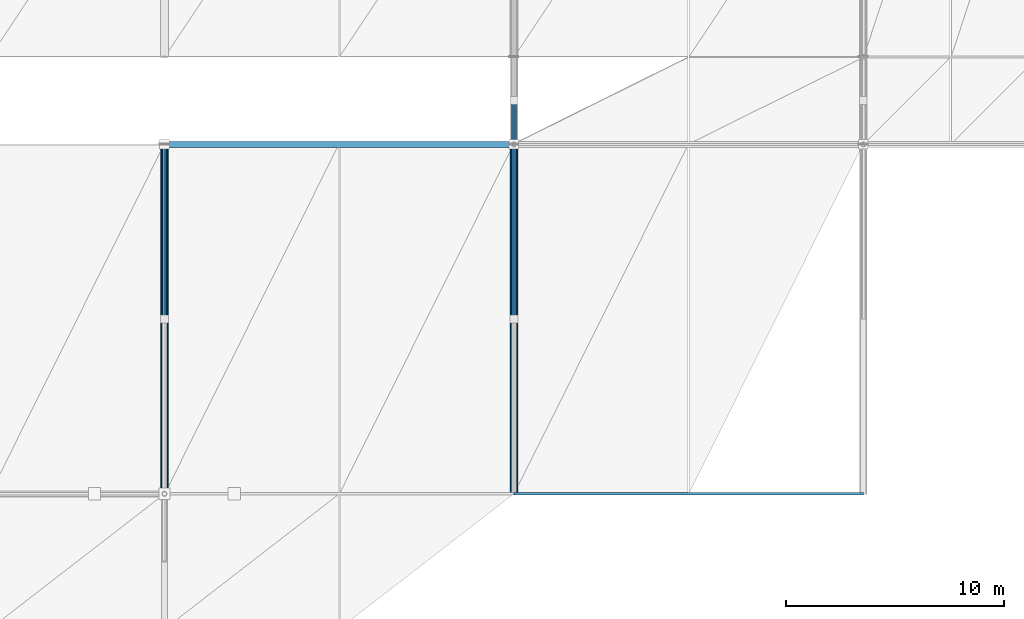
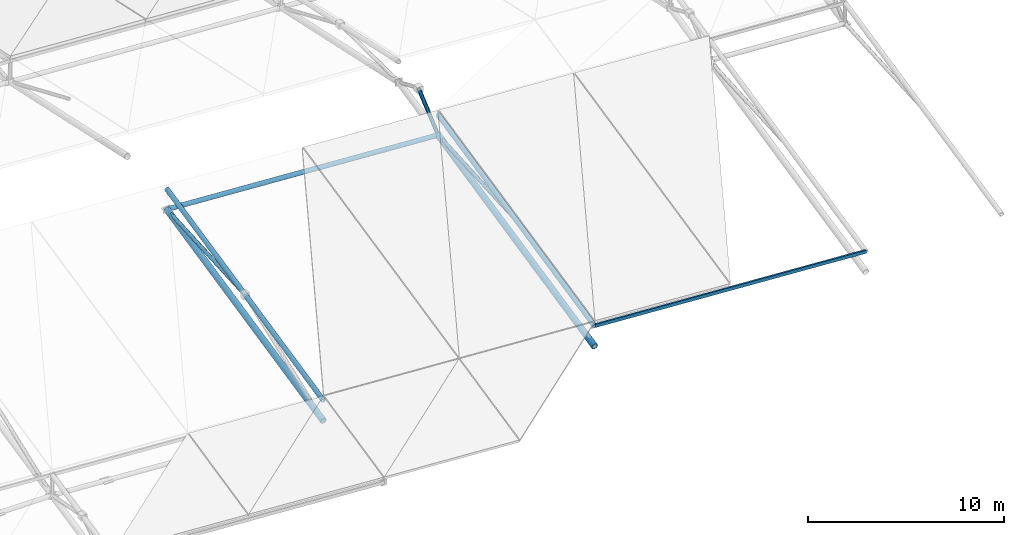
# One storey, part 28 of 67: 6 members, 3 beams.
"""IFC4 building model written with IfcOpenShell, lengths in metres."""

from ifc_helpers import new_model, si_unit, direction, frame, origin, origin_2d, place, context, subcontext, project, spatial, hollow_rectangle, hollow_circle, extrude, material, material_profile, profile_set, type_object, element, save


model = new_model("IFC4")

# Units and contexts
model_context = context("Model", 3, precision=1e-05, world=origin(), true_north=direction((0.0, 1.0)))
body_context = subcontext(model_context, "Body", "Model", "MODEL_VIEW")
ifc_project = project(units=[si_unit("LENGTHUNIT", "METRE"), si_unit("AREAUNIT", "SQUARE_METRE"), si_unit("VOLUMEUNIT", "CUBIC_METRE"), si_unit("PLANEANGLEUNIT", "RADIAN"), si_unit("MASSUNIT", "GRAM", prefix="KILO")], contexts=[model_context])

# Site, building, storey
site_placement = place(None, origin())
site = spatial("IfcSite", under=ifc_project, at=site_placement, CompositionType="ELEMENT")
building_placement = place(site_placement, origin())
building = spatial("IfcBuilding", under=site, at=building_placement, Name="Drelvath Fold Interchange", CompositionType="ELEMENT")
storey_placement = place(building_placement, frame((0.0, 0.0, 15.60009765625)))
storey = spatial("IfcBuildingStorey", under=building, at=storey_placement, Name="L03", CompositionType="ELEMENT", Elevation=15.60009765625)

# Members
ifc_material = material(Name="Steel ASTM A500 Grade C", Category="steel")
ifc_material_profile_1 = material_profile(ifc_material, hollow_rectangle(XDim=0.10205078125, YDim=0.202880859375, WallThickness=0.00732421875, at=origin_2d()), Name="HSS8X4X5/16")
ifc_profile_set_1 = profile_set([ifc_material_profile_1], Name="Steel ASTM A500 Grade C")
member_type_1 = type_object("IfcMemberType", Name="PR-HSS203", PredefinedType="PURLIN", material=ifc_profile_set_1)
member_1_placement = place(storey_placement, frame((150.0, 27.0, 0.513916015625), z_axis=(0.998197699277, 0.0, -0.060011275256), x_axis=(0.0, 1.0, 0.0)))
element("IfcMember", 1, at=member_1_placement, inside=storey, type_object=member_type_1, Name="L03 Space frame canopy purlin PR-HSS203", PredefinedType="PURLIN", context=body_context, shape_type="SweptSolid", body=[
    extrude(hollow_rectangle(XDim=0.10205078125, YDim=0.202880859375, WallThickness=0.00732421875, at=origin_2d()), origin(), (0.0, 0.0, 1.0), 16.02880859375),
])
ifc_material_profile_2 = material_profile(ifc_material, hollow_circle(Radius=0.136474609375, WallThickness=0.01171875, at=origin_2d()), Name="HSS10.750X0.500")
ifc_profile_set_2 = profile_set([ifc_material_profile_2], Name="Steel ASTM A500 Grade C")
member_type_2 = type_object("IfcMemberType", Name="SF-CHD273", PredefinedType="CHORD", material=ifc_profile_set_2)
for number, where, z_axis, x_axis, name in (
    (2, (134.0, 27.0, 1.44482421875), (0.0, 0.977052272987, 0.212999661624), (-1.0, 0.0, 0.0), "L03 Space frame roof truss upper chord SF-CHD273"),
    (3, (150.0, 27.0, 0.48193359375), (0.0, 0.977052272987, 0.212999661624), (-1.0, 0.0, 0.0), "L03 Space frame roof truss upper chord SF-CHD273"),
):
    element("IfcMember", number, at=place(storey_placement, frame(where, z_axis=z_axis, x_axis=x_axis)), inside=storey, type_object=member_type_2, Name=name, PredefinedType="CHORD", context=body_context, shape_type="SweptSolid", body=[
        extrude(hollow_circle(Radius=0.136474609375, WallThickness=0.01171875, at=origin_2d()), origin(), (0.0, 0.0, 1.0), 16.375732421875),
    ])

# Beams
ifc_material_profile_3 = material_profile(ifc_material, hollow_circle(Radius=0.177978515625, WallThickness=0.01171875, at=origin_2d()), Name="HSS14.000X0.500")
ifc_profile_set_3 = profile_set([ifc_material_profile_3], Name="Steel ASTM A500 Grade C")
beam_type_1 = type_object("IfcBeamType", Name="SF-RIB356", PredefinedType="BEAM", material=ifc_profile_set_3)
for number, where, z_axis, x_axis, name in (
    (4, (134.0, 27.0, 0.1748046875), (0.0, 0.977052272987, 0.212999661624), (-1.0, 0.0, 0.0), "Space frame roof truss main rib chord EAST"),
    (5, (150.0, 27.0, -0.7880859375), (0.0, 0.977052272987, 0.212999661624), (-1.0, 0.0, 0.0), "Space frame roof truss main rib chord EAST"),
):
    element("IfcBeam", number, at=place(storey_placement, frame(where, z_axis=z_axis, x_axis=x_axis)), inside=storey, type_object=beam_type_1, Name=name, PredefinedType="BEAM", context=body_context, shape_type="SweptSolid", body=[
        extrude(hollow_circle(Radius=0.177978515625, WallThickness=0.01171875, at=origin_2d()), origin(), (0.0, 0.0, 1.0), 16.375732421875),
    ])
ifc_material_profile_4 = material_profile(ifc_material, hollow_circle(Radius=0.136474609375, WallThickness=0.01171875, at=origin_2d()), Name="HSS10.750X0.500")
ifc_profile_set_4 = profile_set([ifc_material_profile_4], Name="Steel ASTM A500 Grade C")
beam_type_2 = type_object("IfcBeamType", Name="SF-TIE273", PredefinedType="BEAM", material=ifc_profile_set_4)
beam_placement = place(storey_placement, frame((134.050048828125, 43.0, 3.662841796875), z_axis=(0.998171300091, 0.0, -0.060448785547), x_axis=(0.0, 1.0, 0.0)))
element("IfcBeam", 6, at=beam_placement, inside=storey, type_object=beam_type_2, Name="Space frame roof truss longitudinal tie EAST", PredefinedType="BEAM", context=body_context, shape_type="SweptSolid", body=[
    extrude(hollow_circle(Radius=0.136474609375, WallThickness=0.01171875, at=origin_2d()), origin(), (0.0, 0.0, 1.0), 15.928955078125),
])

# Members
ifc_material_profile_5 = material_profile(ifc_material, hollow_circle(Radius=0.109619140625, WallThickness=0.0087890625, at=origin_2d()), Name="HSS8.625X0.375")
ifc_profile_set_5 = profile_set([ifc_material_profile_5], Name="Steel ASTM A500 Grade C")
member_type_3 = type_object("IfcMemberType", Name="SF-WEB219", PredefinedType="BRACE", material=ifc_profile_set_5)
for number, where, z_axis, x_axis, name in (
    (7, (134.0, 35.0, 3.18896484375), (0.0, 0.998250233211, 0.059130972371), (-1.0, 0.0, 0.0), "L03 Space frame roof truss web brace SF-WEB219"),
    (8, (150.0, 35.0, 2.225830078125), (0.0, 0.998248434528, 0.059161329952), (-1.0, 0.0, 0.0), "L03 Space frame roof truss web brace SF-WEB219"),
):
    element("IfcMember", number, at=place(storey_placement, frame(where, z_axis=z_axis, x_axis=x_axis)), inside=storey, type_object=member_type_3, Name=name, PredefinedType="BRACE", context=body_context, shape_type="SweptSolid", body=[
        extrude(hollow_circle(Radius=0.109619140625, WallThickness=0.0087890625, at=origin_2d()), origin(), (0.0, 0.0, 1.0), 8.013916015625),
    ])
member_2_placement = place(storey_placement, frame((150.0, 43.0, 2.699951171875), z_axis=(0.0, 0.760801583253, 0.648984553683), x_axis=(-1.0, 0.0, 0.0)))
element("IfcMember", 9, at=member_2_placement, inside=storey, type_object=member_type_3, Name="L03 Space frame roof truss web brace SF-WEB219", PredefinedType="BRACE", context=body_context, shape_type="SweptSolid", body=[
    extrude(hollow_circle(Radius=0.109619140625, WallThickness=0.0087890625, at=origin_2d()), origin(), (0.0, 0.0, 1.0), 2.62890625),
])

save(model, "model.ifc")
